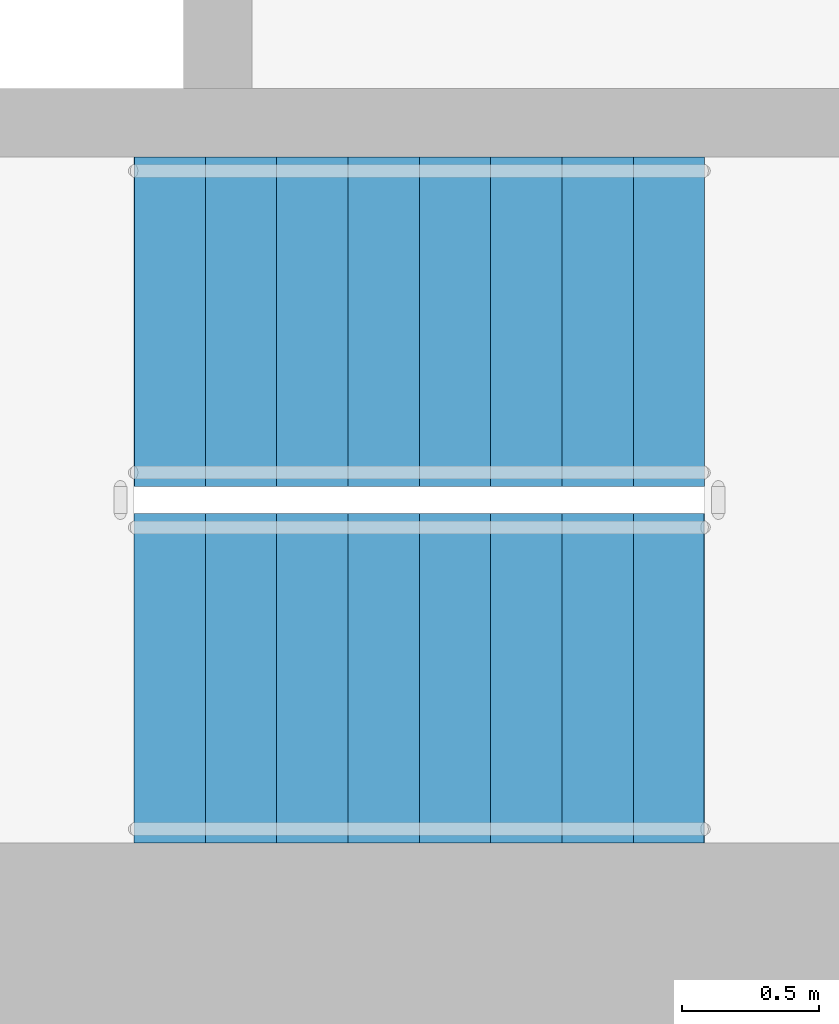
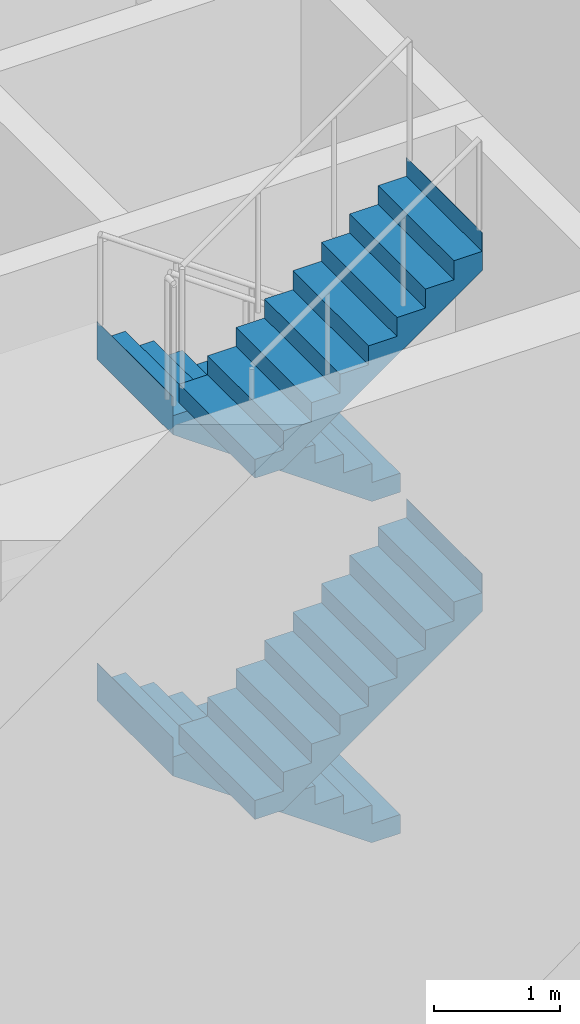
# One storey, part 12 of 18: 4 stair flights, 1 element without a shape of its own.
"""IFC4 building model written with IfcOpenShell, lengths in metres."""

from ifc_helpers import new_model, si_unit, direction, frame, origin, place, context, subcontext, project, spatial, triangles, material, type_object, element, aggregate, save


model = new_model("IFC4")

# Units and contexts
model_context = context("Model", 3, precision=1e-05, world=origin(), true_north=direction((0.0, 1.0)))
body_context = subcontext(model_context, "Body", "Model", "MODEL_VIEW")
ifc_project = project(units=[si_unit("LENGTHUNIT", "METRE"), si_unit("AREAUNIT", "SQUARE_METRE"), si_unit("VOLUMEUNIT", "CUBIC_METRE"), si_unit("PLANEANGLEUNIT", "RADIAN"), si_unit("MASSUNIT", "GRAM", prefix="KILO")], contexts=[model_context])

# Site, building, storey
site_placement = place(None, origin())
site = spatial("IfcSite", under=ifc_project, at=site_placement, CompositionType="ELEMENT")
building_placement = place(site_placement, origin())
building = spatial("IfcBuilding", under=site, at=building_placement, Name="Sahrelin Media Tower", CompositionType="ELEMENT")
storey_placement = place(building_placement, frame((0.0, 0.0, 203.0)))
storey = spatial("IfcBuildingStorey", under=building, at=storey_placement, Name="L43", CompositionType="ELEMENT", Elevation=203.0)

# Stair, stair flights
ifc_material = material(Name="Concrete C40/50", Category="concrete")
stair_type = type_object("IfcStairType", Name="Exit stair 1200", PredefinedType="HALF_TURN_STAIR", material=ifc_material)
stair_placement = place(storey_placement, origin())
stair = element("IfcStair", 1, at=stair_placement, inside=storey, type_object=stair_type, Name="L43 Exit stair ST2", PredefinedType="HALF_TURN_STAIR")
stair_flight_type = type_object("IfcStairFlightType", Name="Stair flight 1200", PredefinedType="STRAIGHT", material=ifc_material)
stair_flight_1_placement = place(storey_placement, frame((7.675048828125, -4.699951171875, 0.0), z_axis=(0.0, 0.0, 1.0), x_axis=(-1.0, 0.0, 0.0)))
stair_flight_1 = element("IfcStairFlight", 2, at=stair_flight_1_placement, type_object=stair_flight_type, Name="ST2 flight 1", NumberOfRisers=9, NumberOfTreads=8, PredefinedType="STRAIGHT", RiserHeight=0.183333333, TreadLength=0.26, context=body_context, shape_type="Tessellation", body=[
    triangles([(0.260009765625, 0.60009765625, 0.0), (0.260009765625, 0.300048828125, 0.0), (0.260009765625, 0.0, 0.0), (0.260009765625, -0.300048828125, 0.0), (0.260009765625, -0.60009765625, 0.0), (2.080078125, 0.60009765625, 1.283203125), (2.080078125, 0.300048828125, 1.283203125), (2.080078125, 0.0, 1.283203125), (2.080078125, -0.300048828125, 1.283203125), (2.080078125, -0.60009765625, 1.283203125), (2.080078125, 0.60009765625, 1.64990234375), (2.080078125, 0.300048828125, 1.64990234375), (2.080078125, 0.0, 1.64990234375), (2.080078125, -0.300048828125, 1.64990234375), (2.080078125, -0.60009765625, 1.64990234375), (2.077880859375, 0.60009765625, 1.64990234375), (2.077880859375, 0.300048828125, 1.64990234375), (2.077880859375, 0.0, 1.64990234375), (2.077880859375, -0.300048828125, 1.64990234375), (2.077880859375, -0.60009765625, 1.64990234375), (2.077880859375, 0.60009765625, 1.466552734375), (2.077880859375, 0.300048828125, 1.466552734375), (2.077880859375, 0.0, 1.466552734375), (2.077880859375, -0.300048828125, 1.466552734375), (2.077880859375, -0.60009765625, 1.466552734375), (1.820068359375, 0.60009765625, 1.466552734375), (1.820068359375, 0.300048828125, 1.466552734375), (1.820068359375, 0.0, 1.466552734375), (1.820068359375, -0.300048828125, 1.466552734375), (1.820068359375, -0.60009765625, 1.466552734375), (1.820068359375, 0.60009765625, 1.283447265625), (1.820068359375, 0.300048828125, 1.283447265625), (1.820068359375, 0.0, 1.283447265625), (1.820068359375, -0.300048828125, 1.283447265625), (1.820068359375, -0.60009765625, 1.283447265625), (1.56005859375, 0.60009765625, 1.283447265625), (1.56005859375, 0.300048828125, 1.283447265625), (1.56005859375, 0.0, 1.283447265625), (1.56005859375, -0.300048828125, 1.283447265625), (1.56005859375, -0.60009765625, 1.283447265625), (1.56005859375, 0.60009765625, 1.10009765625), (1.56005859375, 0.300048828125, 1.10009765625), (1.56005859375, 0.0, 1.10009765625), (1.56005859375, -0.300048828125, 1.10009765625), (1.56005859375, -0.60009765625, 1.10009765625), (1.300048828125, 0.60009765625, 1.10009765625), (1.300048828125, 0.300048828125, 1.10009765625), (1.300048828125, 0.0, 1.10009765625), (1.300048828125, -0.300048828125, 1.10009765625), (1.300048828125, -0.60009765625, 1.10009765625), (1.300048828125, 0.60009765625, 0.916748046875), (1.300048828125, 0.300048828125, 0.916748046875), (1.300048828125, 0.0, 0.916748046875), (1.300048828125, -0.300048828125, 0.916748046875), (1.300048828125, -0.60009765625, 0.916748046875), (1.0400390625, 0.60009765625, 0.916748046875), (1.0400390625, 0.300048828125, 0.916748046875), (1.0400390625, 0.0, 0.916748046875), (1.0400390625, -0.300048828125, 0.916748046875), (1.0400390625, -0.60009765625, 0.916748046875), (1.0400390625, 0.60009765625, 0.7333984375), (1.0400390625, 0.300048828125, 0.7333984375), (1.0400390625, 0.0, 0.7333984375), (1.0400390625, -0.300048828125, 0.7333984375), (1.0400390625, -0.60009765625, 0.7333984375), (0.780029296875, 0.60009765625, 0.7333984375), (0.780029296875, 0.300048828125, 0.7333984375), (0.780029296875, 0.0, 0.7333984375), (0.780029296875, -0.300048828125, 0.7333984375), (0.780029296875, -0.60009765625, 0.7333984375), (0.780029296875, 0.60009765625, 0.550048828125), (0.780029296875, 0.300048828125, 0.550048828125), (0.780029296875, 0.0, 0.550048828125), (0.780029296875, -0.300048828125, 0.550048828125), (0.780029296875, -0.60009765625, 0.550048828125), (0.52001953125, 0.60009765625, 0.550048828125), (0.52001953125, 0.300048828125, 0.550048828125), (0.52001953125, 0.0, 0.550048828125), (0.52001953125, -0.300048828125, 0.550048828125), (0.52001953125, -0.60009765625, 0.550048828125), (0.52001953125, 0.60009765625, 0.36669921875), (0.52001953125, 0.300048828125, 0.36669921875), (0.52001953125, 0.0, 0.36669921875), (0.52001953125, -0.300048828125, 0.36669921875), (0.52001953125, -0.60009765625, 0.36669921875), (0.260009765625, 0.60009765625, 0.36669921875), (0.260009765625, 0.300048828125, 0.36669921875), (0.260009765625, 0.0, 0.36669921875), (0.260009765625, -0.300048828125, 0.36669921875), (0.260009765625, -0.60009765625, 0.36669921875), (0.260009765625, 0.60009765625, 0.183349609375), (0.260009765625, 0.300048828125, 0.183349609375), (0.260009765625, 0.0, 0.183349609375), (0.260009765625, -0.300048828125, 0.183349609375), (0.260009765625, -0.60009765625, 0.183349609375), (0.0, 0.60009765625, 0.183349609375), (0.0, 0.300048828125, 0.183349609375), (0.0, 0.0, 0.183349609375), (0.0, -0.300048828125, 0.183349609375), (0.0, -0.60009765625, 0.183349609375), (0.0, 0.60009765625, 0.0), (0.0, 0.300048828125, 0.0), (0.0, 0.0, 0.0), (0.0, -0.300048828125, 0.0), (0.0, -0.60009765625, 0.0)], [[1, 6, 7], [1, 7, 2], [2, 7, 8], [2, 8, 3], [3, 8, 9], [3, 9, 4], [4, 9, 10], [4, 10, 5], [6, 11, 12], [6, 12, 7], [7, 12, 13], [7, 13, 8], [8, 13, 14], [8, 14, 9], [9, 14, 15], [9, 15, 10], [11, 16, 17], [11, 17, 12], [12, 17, 18], [12, 18, 13], [13, 18, 19], [13, 19, 14], [14, 19, 20], [14, 20, 15], [16, 21, 22], [16, 22, 17], [17, 22, 23], [17, 23, 18], [18, 23, 24], [18, 24, 19], [19, 24, 25], [19, 25, 20], [21, 26, 27], [21, 27, 22], [22, 27, 28], [22, 28, 23], [23, 28, 29], [23, 29, 24], [24, 29, 30], [24, 30, 25], [26, 31, 32], [26, 32, 27], [27, 32, 33], [27, 33, 28], [28, 33, 34], [28, 34, 29], [29, 34, 35], [29, 35, 30], [31, 36, 37], [31, 37, 32], [32, 37, 38], [32, 38, 33], [33, 38, 39], [33, 39, 34], [34, 39, 40], [34, 40, 35], [36, 41, 42], [36, 42, 37], [37, 42, 43], [37, 43, 38], [38, 43, 44], [38, 44, 39], [39, 44, 45], [39, 45, 40], [41, 46, 47], [41, 47, 42], [42, 47, 48], [42, 48, 43], [43, 48, 49], [43, 49, 44], [44, 49, 50], [44, 50, 45], [46, 51, 52], [46, 52, 47], [47, 52, 53], [47, 53, 48], [48, 53, 54], [48, 54, 49], [49, 54, 55], [49, 55, 50], [51, 56, 57], [51, 57, 52], [52, 57, 58], [52, 58, 53], [53, 58, 59], [53, 59, 54], [54, 59, 60], [54, 60, 55], [56, 61, 62], [56, 62, 57], [57, 62, 63], [57, 63, 58], [58, 63, 64], [58, 64, 59], [59, 64, 65], [59, 65, 60], [61, 66, 67], [61, 67, 62], [62, 67, 68], [62, 68, 63], [63, 68, 69], [63, 69, 64], [64, 69, 70], [64, 70, 65], [66, 71, 72], [66, 72, 67], [67, 72, 73], [67, 73, 68], [68, 73, 74], [68, 74, 69], [69, 74, 75], [69, 75, 70], [71, 76, 77], [71, 77, 72], [72, 77, 78], [72, 78, 73], [73, 78, 79], [73, 79, 74], [74, 79, 80], [74, 80, 75], [76, 81, 82], [76, 82, 77], [77, 82, 83], [77, 83, 78], [78, 83, 84], [78, 84, 79], [79, 84, 85], [79, 85, 80], [81, 86, 87], [81, 87, 82], [82, 87, 88], [82, 88, 83], [83, 88, 89], [83, 89, 84], [84, 89, 90], [84, 90, 85], [86, 91, 92], [86, 92, 87], [87, 92, 93], [87, 93, 88], [88, 93, 94], [88, 94, 89], [89, 94, 95], [89, 95, 90], [91, 96, 97], [91, 97, 92], [92, 97, 98], [92, 98, 93], [93, 98, 99], [93, 99, 94], [94, 99, 100], [94, 100, 95], [96, 101, 102], [96, 102, 97], [97, 102, 103], [97, 103, 98], [98, 103, 104], [98, 104, 99], [99, 104, 105], [99, 105, 100], [101, 1, 2], [101, 2, 102], [102, 2, 3], [102, 3, 103], [103, 3, 4], [103, 4, 104], [104, 4, 5], [104, 5, 105], [95, 100, 105], [91, 101, 96], [95, 85, 90], [91, 86, 81], [85, 75, 80], [81, 76, 71], [75, 65, 70], [71, 66, 61], [65, 55, 60], [61, 56, 51], [55, 45, 50], [51, 46, 41], [45, 35, 40], [41, 36, 31], [35, 25, 30], [31, 26, 21], [25, 15, 20], [21, 16, 11], [105, 5, 95], [101, 91, 1], [25, 10, 15], [21, 11, 6], [85, 95, 5], [81, 1, 91], [35, 10, 25], [31, 21, 6], [75, 85, 5], [71, 1, 81], [45, 10, 35], [41, 31, 6], [65, 75, 5], [61, 1, 71], [55, 10, 45], [51, 41, 6], [5, 10, 65], [1, 61, 6], [65, 10, 55], [61, 51, 6]], closed=True),
])
stair_flight_2_placement = place(storey_placement, frame((5.594970703125, -6.0, 1.64990234375), z_axis=(0.0, 0.0, 1.0), x_axis=(1.0, 0.0, 0.0)))
stair_flight_2 = element("IfcStairFlight", 3, at=stair_flight_2_placement, type_object=stair_flight_type, Name="ST2 flight 2", NumberOfRisers=9, NumberOfTreads=8, PredefinedType="STRAIGHT", RiserHeight=0.183333333, TreadLength=0.26, context=body_context, shape_type="Tessellation", body=[
    triangles([(0.260009765625, 0.60009765625, 0.0), (0.260009765625, 0.300048828125, 0.0), (0.260009765625, 0.0, 0.0), (0.260009765625, -0.300048828125, 0.0), (0.260009765625, -0.60009765625, 0.0), (2.080078125, 0.60009765625, 1.283203125), (2.080078125, 0.300048828125, 1.283203125), (2.080078125, 0.0, 1.283203125), (2.080078125, -0.300048828125, 1.283203125), (2.080078125, -0.60009765625, 1.283203125), (2.080078125, 0.60009765625, 1.64990234375), (2.080078125, 0.300048828125, 1.64990234375), (2.080078125, 0.0, 1.64990234375), (2.080078125, -0.300048828125, 1.64990234375), (2.080078125, -0.60009765625, 1.64990234375), (2.077880859375, 0.60009765625, 1.64990234375), (2.077880859375, 0.300048828125, 1.64990234375), (2.077880859375, 0.0, 1.64990234375), (2.077880859375, -0.300048828125, 1.64990234375), (2.077880859375, -0.60009765625, 1.64990234375), (2.077880859375, 0.60009765625, 1.466552734375), (2.077880859375, 0.300048828125, 1.466552734375), (2.077880859375, 0.0, 1.466552734375), (2.077880859375, -0.300048828125, 1.466552734375), (2.077880859375, -0.60009765625, 1.466552734375), (1.820068359375, 0.60009765625, 1.466552734375), (1.820068359375, 0.300048828125, 1.466552734375), (1.820068359375, 0.0, 1.466552734375), (1.820068359375, -0.300048828125, 1.466552734375), (1.820068359375, -0.60009765625, 1.466552734375), (1.820068359375, 0.60009765625, 1.283447265625), (1.820068359375, 0.300048828125, 1.283447265625), (1.820068359375, 0.0, 1.283447265625), (1.820068359375, -0.300048828125, 1.283447265625), (1.820068359375, -0.60009765625, 1.283447265625), (1.56005859375, 0.60009765625, 1.283447265625), (1.56005859375, 0.300048828125, 1.283447265625), (1.56005859375, 0.0, 1.283447265625), (1.56005859375, -0.300048828125, 1.283447265625), (1.56005859375, -0.60009765625, 1.283447265625), (1.56005859375, 0.60009765625, 1.10009765625), (1.56005859375, 0.300048828125, 1.10009765625), (1.56005859375, 0.0, 1.10009765625), (1.56005859375, -0.300048828125, 1.10009765625), (1.56005859375, -0.60009765625, 1.10009765625), (1.300048828125, 0.60009765625, 1.10009765625), (1.300048828125, 0.300048828125, 1.10009765625), (1.300048828125, 0.0, 1.10009765625), (1.300048828125, -0.300048828125, 1.10009765625), (1.300048828125, -0.60009765625, 1.10009765625), (1.300048828125, 0.60009765625, 0.916748046875), (1.300048828125, 0.300048828125, 0.916748046875), (1.300048828125, 0.0, 0.916748046875), (1.300048828125, -0.300048828125, 0.916748046875), (1.300048828125, -0.60009765625, 0.916748046875), (1.0400390625, 0.60009765625, 0.916748046875), (1.0400390625, 0.300048828125, 0.916748046875), (1.0400390625, 0.0, 0.916748046875), (1.0400390625, -0.300048828125, 0.916748046875), (1.0400390625, -0.60009765625, 0.916748046875), (1.0400390625, 0.60009765625, 0.7333984375), (1.0400390625, 0.300048828125, 0.7333984375), (1.0400390625, 0.0, 0.7333984375), (1.0400390625, -0.300048828125, 0.7333984375), (1.0400390625, -0.60009765625, 0.7333984375), (0.780029296875, 0.60009765625, 0.7333984375), (0.780029296875, 0.300048828125, 0.7333984375), (0.780029296875, 0.0, 0.7333984375), (0.780029296875, -0.300048828125, 0.7333984375), (0.780029296875, -0.60009765625, 0.7333984375), (0.780029296875, 0.60009765625, 0.550048828125), (0.780029296875, 0.300048828125, 0.550048828125), (0.780029296875, 0.0, 0.550048828125), (0.780029296875, -0.300048828125, 0.550048828125), (0.780029296875, -0.60009765625, 0.550048828125), (0.52001953125, 0.60009765625, 0.550048828125), (0.52001953125, 0.300048828125, 0.550048828125), (0.52001953125, 0.0, 0.550048828125), (0.52001953125, -0.300048828125, 0.550048828125), (0.52001953125, -0.60009765625, 0.550048828125), (0.52001953125, 0.60009765625, 0.36669921875), (0.52001953125, 0.300048828125, 0.36669921875), (0.52001953125, 0.0, 0.36669921875), (0.52001953125, -0.300048828125, 0.36669921875), (0.52001953125, -0.60009765625, 0.36669921875), (0.260009765625, 0.60009765625, 0.36669921875), (0.260009765625, 0.300048828125, 0.36669921875), (0.260009765625, 0.0, 0.36669921875), (0.260009765625, -0.300048828125, 0.36669921875), (0.260009765625, -0.60009765625, 0.36669921875), (0.260009765625, 0.60009765625, 0.183349609375), (0.260009765625, 0.300048828125, 0.183349609375), (0.260009765625, 0.0, 0.183349609375), (0.260009765625, -0.300048828125, 0.183349609375), (0.260009765625, -0.60009765625, 0.183349609375), (0.0, 0.60009765625, 0.183349609375), (0.0, 0.300048828125, 0.183349609375), (0.0, 0.0, 0.183349609375), (0.0, -0.300048828125, 0.183349609375), (0.0, -0.60009765625, 0.183349609375), (0.0, 0.60009765625, 0.0), (0.0, 0.300048828125, 0.0), (0.0, 0.0, 0.0), (0.0, -0.300048828125, 0.0), (0.0, -0.60009765625, 0.0)], [[1, 6, 7], [1, 7, 2], [2, 7, 8], [2, 8, 3], [3, 8, 9], [3, 9, 4], [4, 9, 10], [4, 10, 5], [6, 11, 12], [6, 12, 7], [7, 12, 13], [7, 13, 8], [8, 13, 14], [8, 14, 9], [9, 14, 15], [9, 15, 10], [11, 16, 17], [11, 17, 12], [12, 17, 18], [12, 18, 13], [13, 18, 19], [13, 19, 14], [14, 19, 20], [14, 20, 15], [16, 21, 22], [16, 22, 17], [17, 22, 23], [17, 23, 18], [18, 23, 24], [18, 24, 19], [19, 24, 25], [19, 25, 20], [21, 26, 27], [21, 27, 22], [22, 27, 28], [22, 28, 23], [23, 28, 29], [23, 29, 24], [24, 29, 30], [24, 30, 25], [26, 31, 32], [26, 32, 27], [27, 32, 33], [27, 33, 28], [28, 33, 34], [28, 34, 29], [29, 34, 35], [29, 35, 30], [31, 36, 37], [31, 37, 32], [32, 37, 38], [32, 38, 33], [33, 38, 39], [33, 39, 34], [34, 39, 40], [34, 40, 35], [36, 41, 42], [36, 42, 37], [37, 42, 43], [37, 43, 38], [38, 43, 44], [38, 44, 39], [39, 44, 45], [39, 45, 40], [41, 46, 47], [41, 47, 42], [42, 47, 48], [42, 48, 43], [43, 48, 49], [43, 49, 44], [44, 49, 50], [44, 50, 45], [46, 51, 52], [46, 52, 47], [47, 52, 53], [47, 53, 48], [48, 53, 54], [48, 54, 49], [49, 54, 55], [49, 55, 50], [51, 56, 57], [51, 57, 52], [52, 57, 58], [52, 58, 53], [53, 58, 59], [53, 59, 54], [54, 59, 60], [54, 60, 55], [56, 61, 62], [56, 62, 57], [57, 62, 63], [57, 63, 58], [58, 63, 64], [58, 64, 59], [59, 64, 65], [59, 65, 60], [61, 66, 67], [61, 67, 62], [62, 67, 68], [62, 68, 63], [63, 68, 69], [63, 69, 64], [64, 69, 70], [64, 70, 65], [66, 71, 72], [66, 72, 67], [67, 72, 73], [67, 73, 68], [68, 73, 74], [68, 74, 69], [69, 74, 75], [69, 75, 70], [71, 76, 77], [71, 77, 72], [72, 77, 78], [72, 78, 73], [73, 78, 79], [73, 79, 74], [74, 79, 80], [74, 80, 75], [76, 81, 82], [76, 82, 77], [77, 82, 83], [77, 83, 78], [78, 83, 84], [78, 84, 79], [79, 84, 85], [79, 85, 80], [81, 86, 87], [81, 87, 82], [82, 87, 88], [82, 88, 83], [83, 88, 89], [83, 89, 84], [84, 89, 90], [84, 90, 85], [86, 91, 92], [86, 92, 87], [87, 92, 93], [87, 93, 88], [88, 93, 94], [88, 94, 89], [89, 94, 95], [89, 95, 90], [91, 96, 97], [91, 97, 92], [92, 97, 98], [92, 98, 93], [93, 98, 99], [93, 99, 94], [94, 99, 100], [94, 100, 95], [96, 101, 102], [96, 102, 97], [97, 102, 103], [97, 103, 98], [98, 103, 104], [98, 104, 99], [99, 104, 105], [99, 105, 100], [101, 1, 2], [101, 2, 102], [102, 2, 3], [102, 3, 103], [103, 3, 4], [103, 4, 104], [104, 4, 5], [104, 5, 105], [95, 100, 105], [91, 101, 96], [95, 85, 90], [91, 86, 81], [85, 75, 80], [81, 76, 71], [75, 65, 70], [71, 66, 61], [65, 55, 60], [61, 56, 51], [55, 45, 50], [51, 46, 41], [45, 35, 40], [41, 36, 31], [35, 25, 30], [31, 26, 21], [25, 15, 20], [21, 16, 11], [105, 5, 95], [101, 91, 1], [25, 10, 15], [21, 11, 6], [85, 95, 5], [81, 1, 91], [35, 10, 25], [31, 21, 6], [75, 85, 5], [71, 1, 81], [45, 10, 35], [41, 31, 6], [65, 75, 5], [61, 1, 71], [55, 10, 45], [51, 41, 6], [5, 10, 65], [1, 61, 6], [65, 10, 55], [61, 51, 6]], closed=True),
])
stair_flight_3_placement = place(storey_placement, frame((7.675048828125, -4.699951171875, 3.300048828125), z_axis=(0.0, 0.0, 1.0), x_axis=(-1.0, 0.0, 0.0)))
stair_flight_3 = element("IfcStairFlight", 4, at=stair_flight_3_placement, type_object=stair_flight_type, Name="ST2 flight 3", NumberOfRisers=9, NumberOfTreads=8, PredefinedType="STRAIGHT", RiserHeight=0.183333333, TreadLength=0.26, context=body_context, shape_type="Tessellation", body=[
    triangles([(0.260009765625, 0.60009765625, 0.0), (0.260009765625, 0.300048828125, 0.0), (0.260009765625, 0.0, 0.0), (0.260009765625, -0.300048828125, 0.0), (0.260009765625, -0.60009765625, 0.0), (2.080078125, 0.60009765625, 1.283203125), (2.080078125, 0.300048828125, 1.283203125), (2.080078125, 0.0, 1.283203125), (2.080078125, -0.300048828125, 1.283203125), (2.080078125, -0.60009765625, 1.283203125), (2.080078125, 0.60009765625, 1.64990234375), (2.080078125, 0.300048828125, 1.64990234375), (2.080078125, 0.0, 1.64990234375), (2.080078125, -0.300048828125, 1.64990234375), (2.080078125, -0.60009765625, 1.64990234375), (2.077880859375, 0.60009765625, 1.64990234375), (2.077880859375, 0.300048828125, 1.64990234375), (2.077880859375, 0.0, 1.64990234375), (2.077880859375, -0.300048828125, 1.64990234375), (2.077880859375, -0.60009765625, 1.64990234375), (2.077880859375, 0.60009765625, 1.466552734375), (2.077880859375, 0.300048828125, 1.466552734375), (2.077880859375, 0.0, 1.466552734375), (2.077880859375, -0.300048828125, 1.466552734375), (2.077880859375, -0.60009765625, 1.466552734375), (1.820068359375, 0.60009765625, 1.466552734375), (1.820068359375, 0.300048828125, 1.466552734375), (1.820068359375, 0.0, 1.466552734375), (1.820068359375, -0.300048828125, 1.466552734375), (1.820068359375, -0.60009765625, 1.466552734375), (1.820068359375, 0.60009765625, 1.283447265625), (1.820068359375, 0.300048828125, 1.283447265625), (1.820068359375, 0.0, 1.283447265625), (1.820068359375, -0.300048828125, 1.283447265625), (1.820068359375, -0.60009765625, 1.283447265625), (1.56005859375, 0.60009765625, 1.283447265625), (1.56005859375, 0.300048828125, 1.283447265625), (1.56005859375, 0.0, 1.283447265625), (1.56005859375, -0.300048828125, 1.283447265625), (1.56005859375, -0.60009765625, 1.283447265625), (1.56005859375, 0.60009765625, 1.10009765625), (1.56005859375, 0.300048828125, 1.10009765625), (1.56005859375, 0.0, 1.10009765625), (1.56005859375, -0.300048828125, 1.10009765625), (1.56005859375, -0.60009765625, 1.10009765625), (1.300048828125, 0.60009765625, 1.10009765625), (1.300048828125, 0.300048828125, 1.10009765625), (1.300048828125, 0.0, 1.10009765625), (1.300048828125, -0.300048828125, 1.10009765625), (1.300048828125, -0.60009765625, 1.10009765625), (1.300048828125, 0.60009765625, 0.916748046875), (1.300048828125, 0.300048828125, 0.916748046875), (1.300048828125, 0.0, 0.916748046875), (1.300048828125, -0.300048828125, 0.916748046875), (1.300048828125, -0.60009765625, 0.916748046875), (1.0400390625, 0.60009765625, 0.916748046875), (1.0400390625, 0.300048828125, 0.916748046875), (1.0400390625, 0.0, 0.916748046875), (1.0400390625, -0.300048828125, 0.916748046875), (1.0400390625, -0.60009765625, 0.916748046875), (1.0400390625, 0.60009765625, 0.7333984375), (1.0400390625, 0.300048828125, 0.7333984375), (1.0400390625, 0.0, 0.7333984375), (1.0400390625, -0.300048828125, 0.7333984375), (1.0400390625, -0.60009765625, 0.7333984375), (0.780029296875, 0.60009765625, 0.7333984375), (0.780029296875, 0.300048828125, 0.7333984375), (0.780029296875, 0.0, 0.7333984375), (0.780029296875, -0.300048828125, 0.7333984375), (0.780029296875, -0.60009765625, 0.7333984375), (0.780029296875, 0.60009765625, 0.550048828125), (0.780029296875, 0.300048828125, 0.550048828125), (0.780029296875, 0.0, 0.550048828125), (0.780029296875, -0.300048828125, 0.550048828125), (0.780029296875, -0.60009765625, 0.550048828125), (0.52001953125, 0.60009765625, 0.550048828125), (0.52001953125, 0.300048828125, 0.550048828125), (0.52001953125, 0.0, 0.550048828125), (0.52001953125, -0.300048828125, 0.550048828125), (0.52001953125, -0.60009765625, 0.550048828125), (0.52001953125, 0.60009765625, 0.36669921875), (0.52001953125, 0.300048828125, 0.36669921875), (0.52001953125, 0.0, 0.36669921875), (0.52001953125, -0.300048828125, 0.36669921875), (0.52001953125, -0.60009765625, 0.36669921875), (0.260009765625, 0.60009765625, 0.36669921875), (0.260009765625, 0.300048828125, 0.36669921875), (0.260009765625, 0.0, 0.36669921875), (0.260009765625, -0.300048828125, 0.36669921875), (0.260009765625, -0.60009765625, 0.36669921875), (0.260009765625, 0.60009765625, 0.183349609375), (0.260009765625, 0.300048828125, 0.183349609375), (0.260009765625, 0.0, 0.183349609375), (0.260009765625, -0.300048828125, 0.183349609375), (0.260009765625, -0.60009765625, 0.183349609375), (0.0, 0.60009765625, 0.183349609375), (0.0, 0.300048828125, 0.183349609375), (0.0, 0.0, 0.183349609375), (0.0, -0.300048828125, 0.183349609375), (0.0, -0.60009765625, 0.183349609375), (0.0, 0.60009765625, 0.0), (0.0, 0.300048828125, 0.0), (0.0, 0.0, 0.0), (0.0, -0.300048828125, 0.0), (0.0, -0.60009765625, 0.0)], [[1, 6, 7], [1, 7, 2], [2, 7, 8], [2, 8, 3], [3, 8, 9], [3, 9, 4], [4, 9, 10], [4, 10, 5], [6, 11, 12], [6, 12, 7], [7, 12, 13], [7, 13, 8], [8, 13, 14], [8, 14, 9], [9, 14, 15], [9, 15, 10], [11, 16, 17], [11, 17, 12], [12, 17, 18], [12, 18, 13], [13, 18, 19], [13, 19, 14], [14, 19, 20], [14, 20, 15], [16, 21, 22], [16, 22, 17], [17, 22, 23], [17, 23, 18], [18, 23, 24], [18, 24, 19], [19, 24, 25], [19, 25, 20], [21, 26, 27], [21, 27, 22], [22, 27, 28], [22, 28, 23], [23, 28, 29], [23, 29, 24], [24, 29, 30], [24, 30, 25], [26, 31, 32], [26, 32, 27], [27, 32, 33], [27, 33, 28], [28, 33, 34], [28, 34, 29], [29, 34, 35], [29, 35, 30], [31, 36, 37], [31, 37, 32], [32, 37, 38], [32, 38, 33], [33, 38, 39], [33, 39, 34], [34, 39, 40], [34, 40, 35], [36, 41, 42], [36, 42, 37], [37, 42, 43], [37, 43, 38], [38, 43, 44], [38, 44, 39], [39, 44, 45], [39, 45, 40], [41, 46, 47], [41, 47, 42], [42, 47, 48], [42, 48, 43], [43, 48, 49], [43, 49, 44], [44, 49, 50], [44, 50, 45], [46, 51, 52], [46, 52, 47], [47, 52, 53], [47, 53, 48], [48, 53, 54], [48, 54, 49], [49, 54, 55], [49, 55, 50], [51, 56, 57], [51, 57, 52], [52, 57, 58], [52, 58, 53], [53, 58, 59], [53, 59, 54], [54, 59, 60], [54, 60, 55], [56, 61, 62], [56, 62, 57], [57, 62, 63], [57, 63, 58], [58, 63, 64], [58, 64, 59], [59, 64, 65], [59, 65, 60], [61, 66, 67], [61, 67, 62], [62, 67, 68], [62, 68, 63], [63, 68, 69], [63, 69, 64], [64, 69, 70], [64, 70, 65], [66, 71, 72], [66, 72, 67], [67, 72, 73], [67, 73, 68], [68, 73, 74], [68, 74, 69], [69, 74, 75], [69, 75, 70], [71, 76, 77], [71, 77, 72], [72, 77, 78], [72, 78, 73], [73, 78, 79], [73, 79, 74], [74, 79, 80], [74, 80, 75], [76, 81, 82], [76, 82, 77], [77, 82, 83], [77, 83, 78], [78, 83, 84], [78, 84, 79], [79, 84, 85], [79, 85, 80], [81, 86, 87], [81, 87, 82], [82, 87, 88], [82, 88, 83], [83, 88, 89], [83, 89, 84], [84, 89, 90], [84, 90, 85], [86, 91, 92], [86, 92, 87], [87, 92, 93], [87, 93, 88], [88, 93, 94], [88, 94, 89], [89, 94, 95], [89, 95, 90], [91, 96, 97], [91, 97, 92], [92, 97, 98], [92, 98, 93], [93, 98, 99], [93, 99, 94], [94, 99, 100], [94, 100, 95], [96, 101, 102], [96, 102, 97], [97, 102, 103], [97, 103, 98], [98, 103, 104], [98, 104, 99], [99, 104, 105], [99, 105, 100], [101, 1, 2], [101, 2, 102], [102, 2, 3], [102, 3, 103], [103, 3, 4], [103, 4, 104], [104, 4, 5], [104, 5, 105], [95, 100, 105], [91, 101, 96], [95, 85, 90], [91, 86, 81], [85, 75, 80], [81, 76, 71], [75, 65, 70], [71, 66, 61], [65, 55, 60], [61, 56, 51], [55, 45, 50], [51, 46, 41], [45, 35, 40], [41, 36, 31], [35, 25, 30], [31, 26, 21], [25, 15, 20], [21, 16, 11], [105, 5, 95], [101, 91, 1], [25, 10, 15], [21, 11, 6], [85, 95, 5], [81, 1, 91], [35, 10, 25], [31, 21, 6], [75, 85, 5], [71, 1, 81], [45, 10, 35], [41, 31, 6], [65, 75, 5], [61, 1, 71], [55, 10, 45], [51, 41, 6], [5, 10, 65], [1, 61, 6], [65, 10, 55], [61, 51, 6]], closed=True),
])
stair_flight_4_placement = place(storey_placement, frame((5.594970703125, -6.0, 4.949951171875), z_axis=(0.0, 0.0, 1.0), x_axis=(1.0, 0.0, 0.0)))
stair_flight_4 = element("IfcStairFlight", 5, at=stair_flight_4_placement, type_object=stair_flight_type, Name="ST2 flight 4", NumberOfRisers=9, NumberOfTreads=8, PredefinedType="STRAIGHT", RiserHeight=0.183333333, TreadLength=0.26, context=body_context, shape_type="Tessellation", body=[
    triangles([(0.260009765625, 0.60009765625, 0.0), (0.260009765625, 0.300048828125, 0.0), (0.260009765625, 0.0, 0.0), (0.260009765625, -0.300048828125, 0.0), (0.260009765625, -0.60009765625, 0.0), (2.080078125, 0.60009765625, 1.283203125), (2.080078125, 0.300048828125, 1.283203125), (2.080078125, 0.0, 1.283203125), (2.080078125, -0.300048828125, 1.283203125), (2.080078125, -0.60009765625, 1.283203125), (2.080078125, 0.60009765625, 1.64990234375), (2.080078125, 0.300048828125, 1.64990234375), (2.080078125, 0.0, 1.64990234375), (2.080078125, -0.300048828125, 1.64990234375), (2.080078125, -0.60009765625, 1.64990234375), (2.077880859375, 0.60009765625, 1.64990234375), (2.077880859375, 0.300048828125, 1.64990234375), (2.077880859375, 0.0, 1.64990234375), (2.077880859375, -0.300048828125, 1.64990234375), (2.077880859375, -0.60009765625, 1.64990234375), (2.077880859375, 0.60009765625, 1.466552734375), (2.077880859375, 0.300048828125, 1.466552734375), (2.077880859375, 0.0, 1.466552734375), (2.077880859375, -0.300048828125, 1.466552734375), (2.077880859375, -0.60009765625, 1.466552734375), (1.820068359375, 0.60009765625, 1.466552734375), (1.820068359375, 0.300048828125, 1.466552734375), (1.820068359375, 0.0, 1.466552734375), (1.820068359375, -0.300048828125, 1.466552734375), (1.820068359375, -0.60009765625, 1.466552734375), (1.820068359375, 0.60009765625, 1.283447265625), (1.820068359375, 0.300048828125, 1.283447265625), (1.820068359375, 0.0, 1.283447265625), (1.820068359375, -0.300048828125, 1.283447265625), (1.820068359375, -0.60009765625, 1.283447265625), (1.56005859375, 0.60009765625, 1.283447265625), (1.56005859375, 0.300048828125, 1.283447265625), (1.56005859375, 0.0, 1.283447265625), (1.56005859375, -0.300048828125, 1.283447265625), (1.56005859375, -0.60009765625, 1.283447265625), (1.56005859375, 0.60009765625, 1.10009765625), (1.56005859375, 0.300048828125, 1.10009765625), (1.56005859375, 0.0, 1.10009765625), (1.56005859375, -0.300048828125, 1.10009765625), (1.56005859375, -0.60009765625, 1.10009765625), (1.300048828125, 0.60009765625, 1.10009765625), (1.300048828125, 0.300048828125, 1.10009765625), (1.300048828125, 0.0, 1.10009765625), (1.300048828125, -0.300048828125, 1.10009765625), (1.300048828125, -0.60009765625, 1.10009765625), (1.300048828125, 0.60009765625, 0.916748046875), (1.300048828125, 0.300048828125, 0.916748046875), (1.300048828125, 0.0, 0.916748046875), (1.300048828125, -0.300048828125, 0.916748046875), (1.300048828125, -0.60009765625, 0.916748046875), (1.0400390625, 0.60009765625, 0.916748046875), (1.0400390625, 0.300048828125, 0.916748046875), (1.0400390625, 0.0, 0.916748046875), (1.0400390625, -0.300048828125, 0.916748046875), (1.0400390625, -0.60009765625, 0.916748046875), (1.0400390625, 0.60009765625, 0.7333984375), (1.0400390625, 0.300048828125, 0.7333984375), (1.0400390625, 0.0, 0.7333984375), (1.0400390625, -0.300048828125, 0.7333984375), (1.0400390625, -0.60009765625, 0.7333984375), (0.780029296875, 0.60009765625, 0.7333984375), (0.780029296875, 0.300048828125, 0.7333984375), (0.780029296875, 0.0, 0.7333984375), (0.780029296875, -0.300048828125, 0.7333984375), (0.780029296875, -0.60009765625, 0.7333984375), (0.780029296875, 0.60009765625, 0.550048828125), (0.780029296875, 0.300048828125, 0.550048828125), (0.780029296875, 0.0, 0.550048828125), (0.780029296875, -0.300048828125, 0.550048828125), (0.780029296875, -0.60009765625, 0.550048828125), (0.52001953125, 0.60009765625, 0.550048828125), (0.52001953125, 0.300048828125, 0.550048828125), (0.52001953125, 0.0, 0.550048828125), (0.52001953125, -0.300048828125, 0.550048828125), (0.52001953125, -0.60009765625, 0.550048828125), (0.52001953125, 0.60009765625, 0.36669921875), (0.52001953125, 0.300048828125, 0.36669921875), (0.52001953125, 0.0, 0.36669921875), (0.52001953125, -0.300048828125, 0.36669921875), (0.52001953125, -0.60009765625, 0.36669921875), (0.260009765625, 0.60009765625, 0.36669921875), (0.260009765625, 0.300048828125, 0.36669921875), (0.260009765625, 0.0, 0.36669921875), (0.260009765625, -0.300048828125, 0.36669921875), (0.260009765625, -0.60009765625, 0.36669921875), (0.260009765625, 0.60009765625, 0.183349609375), (0.260009765625, 0.300048828125, 0.183349609375), (0.260009765625, 0.0, 0.183349609375), (0.260009765625, -0.300048828125, 0.183349609375), (0.260009765625, -0.60009765625, 0.183349609375), (0.0, 0.60009765625, 0.183349609375), (0.0, 0.300048828125, 0.183349609375), (0.0, 0.0, 0.183349609375), (0.0, -0.300048828125, 0.183349609375), (0.0, -0.60009765625, 0.183349609375), (0.0, 0.60009765625, 0.0), (0.0, 0.300048828125, 0.0), (0.0, 0.0, 0.0), (0.0, -0.300048828125, 0.0), (0.0, -0.60009765625, 0.0)], [[1, 6, 7], [1, 7, 2], [2, 7, 8], [2, 8, 3], [3, 8, 9], [3, 9, 4], [4, 9, 10], [4, 10, 5], [6, 11, 12], [6, 12, 7], [7, 12, 13], [7, 13, 8], [8, 13, 14], [8, 14, 9], [9, 14, 15], [9, 15, 10], [11, 16, 17], [11, 17, 12], [12, 17, 18], [12, 18, 13], [13, 18, 19], [13, 19, 14], [14, 19, 20], [14, 20, 15], [16, 21, 22], [16, 22, 17], [17, 22, 23], [17, 23, 18], [18, 23, 24], [18, 24, 19], [19, 24, 25], [19, 25, 20], [21, 26, 27], [21, 27, 22], [22, 27, 28], [22, 28, 23], [23, 28, 29], [23, 29, 24], [24, 29, 30], [24, 30, 25], [26, 31, 32], [26, 32, 27], [27, 32, 33], [27, 33, 28], [28, 33, 34], [28, 34, 29], [29, 34, 35], [29, 35, 30], [31, 36, 37], [31, 37, 32], [32, 37, 38], [32, 38, 33], [33, 38, 39], [33, 39, 34], [34, 39, 40], [34, 40, 35], [36, 41, 42], [36, 42, 37], [37, 42, 43], [37, 43, 38], [38, 43, 44], [38, 44, 39], [39, 44, 45], [39, 45, 40], [41, 46, 47], [41, 47, 42], [42, 47, 48], [42, 48, 43], [43, 48, 49], [43, 49, 44], [44, 49, 50], [44, 50, 45], [46, 51, 52], [46, 52, 47], [47, 52, 53], [47, 53, 48], [48, 53, 54], [48, 54, 49], [49, 54, 55], [49, 55, 50], [51, 56, 57], [51, 57, 52], [52, 57, 58], [52, 58, 53], [53, 58, 59], [53, 59, 54], [54, 59, 60], [54, 60, 55], [56, 61, 62], [56, 62, 57], [57, 62, 63], [57, 63, 58], [58, 63, 64], [58, 64, 59], [59, 64, 65], [59, 65, 60], [61, 66, 67], [61, 67, 62], [62, 67, 68], [62, 68, 63], [63, 68, 69], [63, 69, 64], [64, 69, 70], [64, 70, 65], [66, 71, 72], [66, 72, 67], [67, 72, 73], [67, 73, 68], [68, 73, 74], [68, 74, 69], [69, 74, 75], [69, 75, 70], [71, 76, 77], [71, 77, 72], [72, 77, 78], [72, 78, 73], [73, 78, 79], [73, 79, 74], [74, 79, 80], [74, 80, 75], [76, 81, 82], [76, 82, 77], [77, 82, 83], [77, 83, 78], [78, 83, 84], [78, 84, 79], [79, 84, 85], [79, 85, 80], [81, 86, 87], [81, 87, 82], [82, 87, 88], [82, 88, 83], [83, 88, 89], [83, 89, 84], [84, 89, 90], [84, 90, 85], [86, 91, 92], [86, 92, 87], [87, 92, 93], [87, 93, 88], [88, 93, 94], [88, 94, 89], [89, 94, 95], [89, 95, 90], [91, 96, 97], [91, 97, 92], [92, 97, 98], [92, 98, 93], [93, 98, 99], [93, 99, 94], [94, 99, 100], [94, 100, 95], [96, 101, 102], [96, 102, 97], [97, 102, 103], [97, 103, 98], [98, 103, 104], [98, 104, 99], [99, 104, 105], [99, 105, 100], [101, 1, 2], [101, 2, 102], [102, 2, 3], [102, 3, 103], [103, 3, 4], [103, 4, 104], [104, 4, 5], [104, 5, 105], [95, 100, 105], [91, 101, 96], [95, 85, 90], [91, 86, 81], [85, 75, 80], [81, 76, 71], [75, 65, 70], [71, 66, 61], [65, 55, 60], [61, 56, 51], [55, 45, 50], [51, 46, 41], [45, 35, 40], [41, 36, 31], [35, 25, 30], [31, 26, 21], [25, 15, 20], [21, 16, 11], [105, 5, 95], [101, 91, 1], [25, 10, 15], [21, 11, 6], [85, 95, 5], [81, 1, 91], [35, 10, 25], [31, 21, 6], [75, 85, 5], [71, 1, 81], [45, 10, 35], [41, 31, 6], [65, 75, 5], [61, 1, 71], [55, 10, 45], [51, 41, 6], [5, 10, 65], [1, 61, 6], [65, 10, 55], [61, 51, 6]], closed=True),
])
aggregate(stair, [stair_flight_1, stair_flight_2, stair_flight_3, stair_flight_4])

save(model, "model.ifc")
